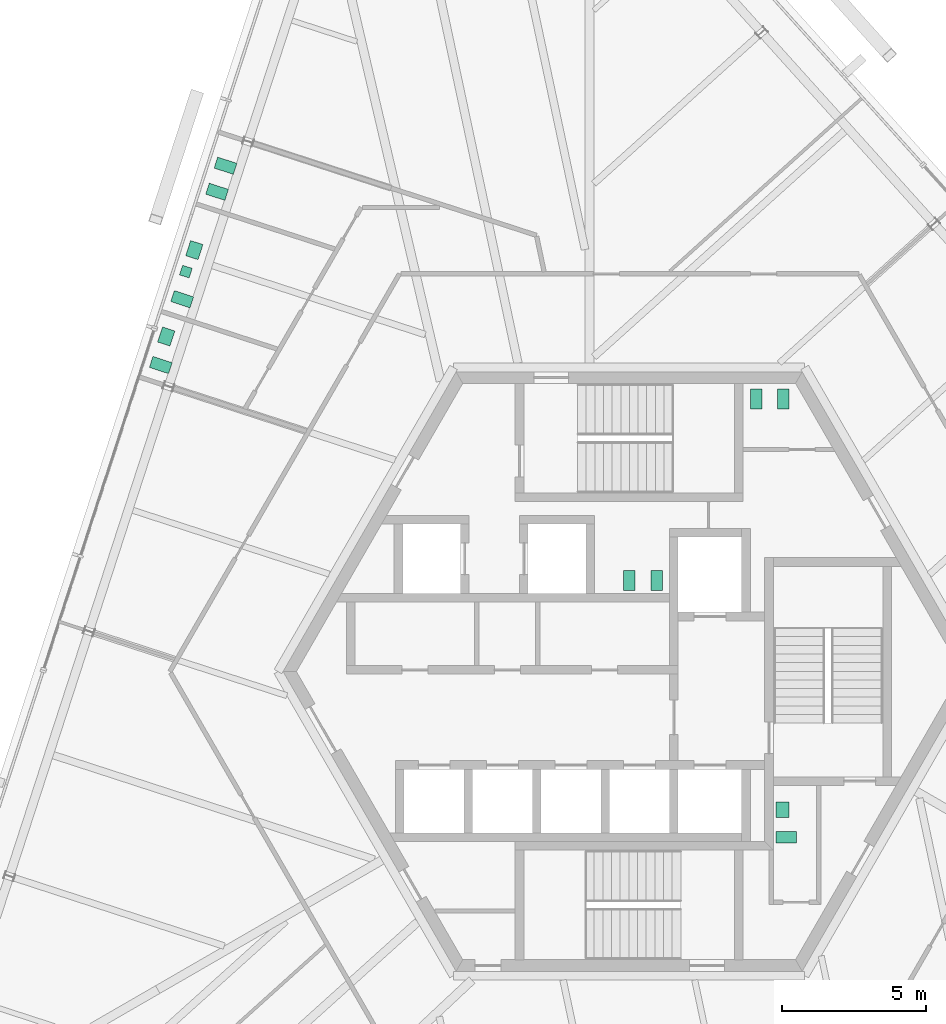
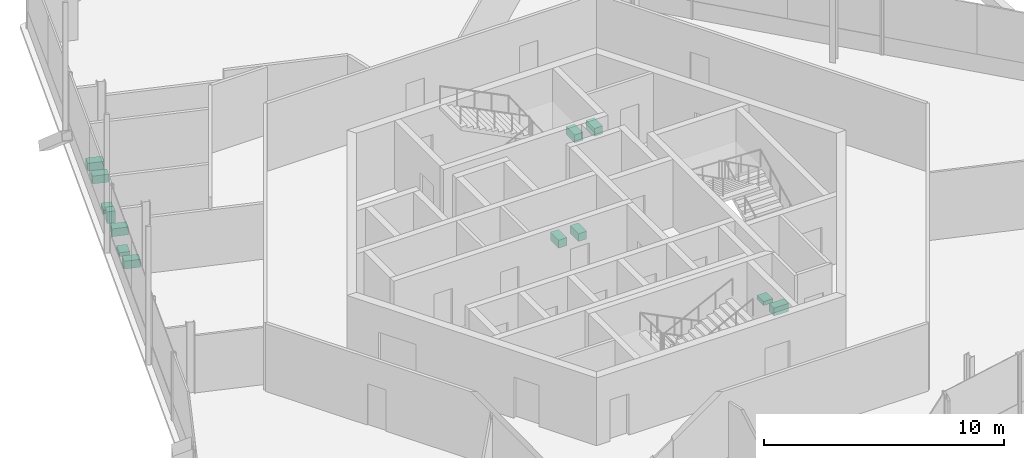
# One storey, part 16 of 16: 13 sanitary terminals.
"""IFC4 building model written with IfcOpenShell, lengths in metres."""

from ifc_helpers import new_model, si_unit, direction, frame, origin, origin_2d, place, context, subcontext, project, spatial, rectangle, extrude, source, transform, mapped, material, element, save


model = new_model("IFC4")

# Units and contexts
model_context = context("Model", 3, precision=1e-05, world=origin(), true_north=direction((0.0, 1.0)))
body_context = subcontext(model_context, "Body", "Model", "MODEL_VIEW")
ifc_project = project(units=[si_unit("LENGTHUNIT", "METRE"), si_unit("AREAUNIT", "SQUARE_METRE"), si_unit("VOLUMEUNIT", "CUBIC_METRE"), si_unit("PLANEANGLEUNIT", "RADIAN"), si_unit("MASSUNIT", "GRAM", prefix="KILO")], contexts=[model_context])

# Site, building, storey
site_placement = place(None, origin())
site = spatial("IfcSite", under=ifc_project, at=site_placement, CompositionType="ELEMENT")
building_placement = place(site_placement, origin())
building = spatial("IfcBuilding", under=site, at=building_placement, Name="Triune Harvest Tower", CompositionType="ELEMENT")
storey_placement = place(building_placement, frame((0.0, 0.0, 266.699951171875)))
storey = spatial("IfcBuildingStorey", under=building, at=storey_placement, Name="L70", CompositionType="ELEMENT", Elevation=266.699951171875)

# Sanitary terminals
ifc_material = material(Name="Vitreous china")
shared_shape_1 = source(origin(), body_context, "Body", "SweptSolid", [
    extrude(rectangle(XDim=0.39990234375, YDim=0.699951171875, at=origin_2d()), origin(), (0.0, 0.0, 1.0), 0.39990234375),
])
for number, where, z_axis, x_axis, name in (
    (1, (4.39990234375, 9.449951171875, 0.0), (0.0, 0.0, 1.0), (1.0, 0.0, 0.0), "Toilet pan L70.c01"),
    (2, (5.35009765625, 9.449951171875, 0.0), (0.0, 0.0, 1.0), (1.0, 0.0, 0.0), "Toilet pan L70.c02"),
    (3, (0.949951171875, 3.159912109375, 0.0), (0.0, 0.0, 1.0), (-1.0, 0.0, 0.0), "Toilet pan L70.c03"),
    (4, (0.0, 3.159912109375, 0.0), (0.0, 0.0, 1.0), (-1.0, 0.0, 0.0), "Toilet pan L70.c04"),
    (5, (5.449951171875, -5.739990234375, 0.0), (0.0, 0.0, 1.0), (0.0, 1.0, 0.0), "Toilet pan L70.c05"),
    (6, (-14.28857421875, 16.635498046875, 0.0), (0.0, 0.0, 1.0), (0.308983796052, 0.951067302444, 0.0), "Toilet pan 01"),
    (7, (-13.9951171875, 17.5390625, 0.0), (0.0, 0.0, 1.0), (0.308983796052, 0.951067302444, 0.0), "Toilet pan 02"),
    (8, (-15.4990234375, 12.910400390625, 0.0), (0.0, 0.0, 1.0), (0.30900039526, 0.951061909514, 0.0), "Toilet pan 03"),
    (9, (-16.240478515625, 10.627685546875, 0.0), (0.0, 0.0, 1.0), (0.308983796052, 0.951067302444, 0.0), "Toilet pan 06"),
):
    element("IfcSanitaryTerminal", number, at=place(storey_placement, frame(where, z_axis=z_axis, x_axis=x_axis)), inside=storey, material=ifc_material, Name=name, PredefinedType="TOILETPAN", context=body_context, shape_type="MappedRepresentation", body=[
        mapped(shared_shape_1, transform((0.0, 0.0, 0.0), scale=1.0)),
    ])
shared_shape_2 = source(origin(), body_context, "Body", "SweptSolid", [
    extrude(rectangle(XDim=0.35009765625, YDim=0.35009765625, at=origin_2d()), origin(), (0.0, 0.0, 1.0), 0.60009765625),
])
sanitary_terminal_placement = place(storey_placement, frame((-15.371826171875, 13.867919921875, 0.0), z_axis=(0.0, 0.0, 1.0), x_axis=(0.30900039526, 0.951061909514, 0.0)))
element("IfcSanitaryTerminal", 10, at=sanitary_terminal_placement, inside=storey, material=ifc_material, Name="Urinal 04", PredefinedType="URINAL", context=body_context, shape_type="MappedRepresentation", body=[
    mapped(shared_shape_2, transform((0.0, 0.0, 0.0), scale=1.0)),
])
shared_shape_3 = source(origin(), body_context, "Body", "SweptSolid", [
    extrude(rectangle(XDim=0.550048828125, YDim=0.449951171875, at=origin_2d()), origin(), (0.0, 0.0, 1.0), 0.199951171875),
])
for number, where, z_axis, x_axis, name in (
    (11, (5.324951171875, -4.7900390625, 0.0), (0.0, 0.0, 1.0), (0.0, 1.0, 0.0), "Wash basin L70.c06"),
    (12, (-15.0771484375, 14.61328125, 0.0), (0.0, 0.0, 1.0), (0.30900039526, 0.951061909514, 0.0), "Wash basin 05"),
    (13, (-16.050537109375, 11.617431640625, 0.0), (0.0, 0.0, 1.0), (0.308983796052, 0.951067302444, 0.0), "Wash basin 07"),
):
    element("IfcSanitaryTerminal", number, at=place(storey_placement, frame(where, z_axis=z_axis, x_axis=x_axis)), inside=storey, material=ifc_material, Name=name, PredefinedType="WASHHANDBASIN", context=body_context, shape_type="MappedRepresentation", body=[
        mapped(shared_shape_3, transform((0.0, 0.0, 0.0), scale=1.0)),
    ])

save(model, "model.ifc")
